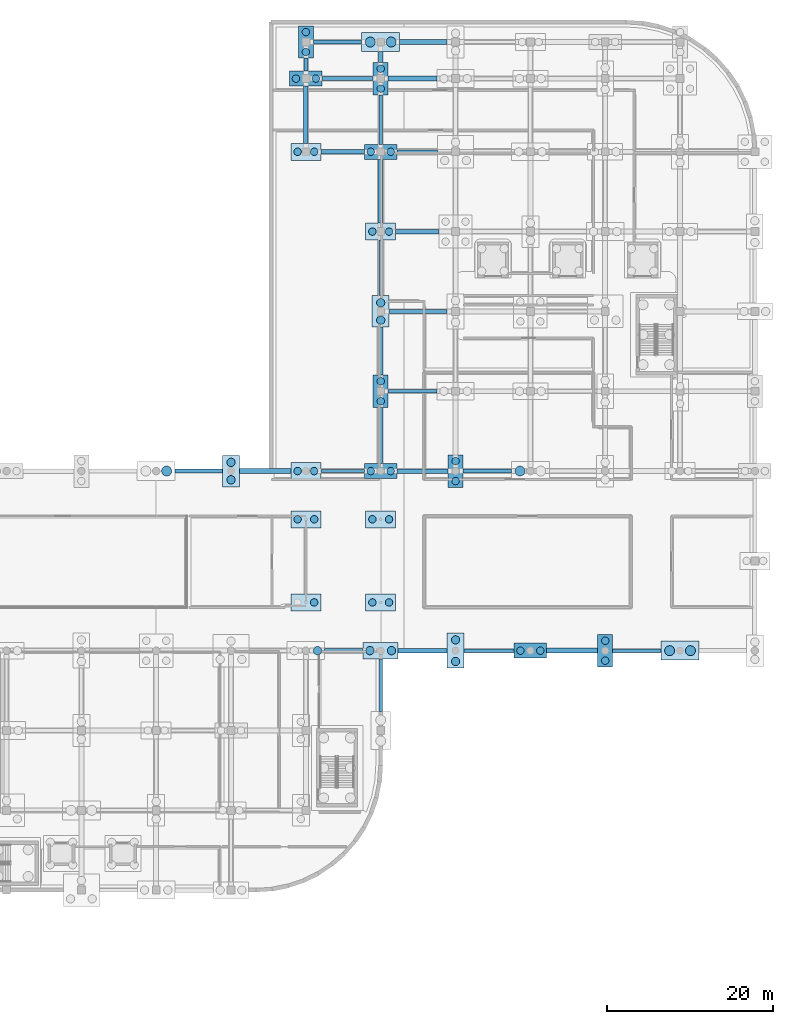
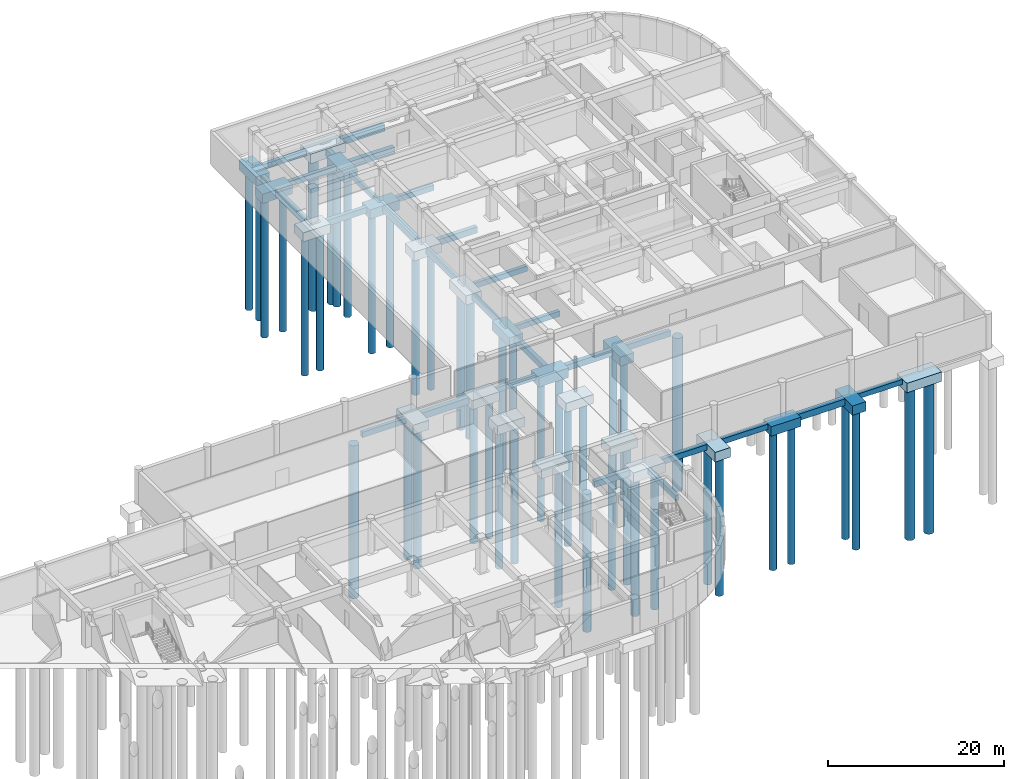
# One storey, part 5 of 47: 50 footings, 46 piles.
"""IFC4 building model written with IfcOpenShell, lengths in metres."""

from ifc_helpers import new_model, si_unit, direction, frame, origin, origin_2d, place, context, subcontext, project, spatial, rectangle, circle, extrude, material, material_profile, profile_set, type_object, element, save


model = new_model("IFC4")

# Units and contexts
model_context = context("Model", 3, precision=1e-05, world=origin(), true_north=direction((0.0, 1.0)))
body_context = subcontext(model_context, "Body", "Model", "MODEL_VIEW")
ifc_project = project(units=[si_unit("LENGTHUNIT", "METRE"), si_unit("AREAUNIT", "SQUARE_METRE"), si_unit("VOLUMEUNIT", "CUBIC_METRE"), si_unit("PLANEANGLEUNIT", "RADIAN"), si_unit("MASSUNIT", "GRAM", prefix="KILO")], contexts=[model_context])

# Site, building, storey
site_placement = place(None, origin())
site = spatial("IfcSite", under=ifc_project, at=site_placement, CompositionType="ELEMENT")
building_placement = place(site_placement, origin())
building = spatial("IfcBuilding", under=site, at=building_placement, Name="Cendralis Terraced Arcade", CompositionType="ELEMENT")
storey_placement = place(building_placement, frame((0.0, 0.0, -4.800048828125)))
storey = spatial("IfcBuildingStorey", under=building, at=storey_placement, Name="B1", CompositionType="ELEMENT", Elevation=-4.800048828125)

# Footings
ifc_material = material(Name="Concrete f'c 35 MPa", Category="concrete")
ifc_material_profile_1 = material_profile(ifc_material, rectangle(XDim=0.39990234375, YDim=0.699951171875, at=origin_2d()), Name="FB-400x700", Category="LoadBearing")
ifc_profile_set_1 = profile_set([ifc_material_profile_1], Name="Concrete f'c 35 MPa")
footing_type_1 = type_object("IfcFootingType", Name="FB-400x700", PredefinedType="FOOTING_BEAM", material=ifc_profile_set_1)
footing_1_placement = place(storey_placement, frame((149.10009765625, 38.39990234375, -0.800048828125), z_axis=(1.0, 0.0, 0.0), x_axis=(0.0, 1.0, 0.0)))
element("IfcFooting", 1, at=footing_1_placement, inside=storey, type_object=footing_type_1, Name="Reinforced Concrete Foundation Tie Beam FB-X-0054", PredefinedType="FOOTING_BEAM", context=body_context, shape_type="SweptSolid", body=[
    extrude(rectangle(XDim=0.39990234375, YDim=0.699951171875, at=origin_2d()), origin(), (0.0, 0.0, 1.0), 5.81982421875),
])
footing_2_placement = place(storey_placement, frame((114.0, 60.0, -0.800048828125), z_axis=(1.0, 0.0, 0.0), x_axis=(0.0, 1.0, 0.0)))
element("IfcFooting", 2, at=footing_2_placement, inside=storey, type_object=footing_type_1, Name="Reinforced Concrete Foundation Tie Beam FB-X-0074", PredefinedType="FOOTING_BEAM", context=body_context, shape_type="SweptSolid", body=[
    extrude(rectangle(XDim=0.39990234375, YDim=0.699951171875, at=origin_2d()), origin(), (0.0, 0.0, 1.0), 5.25),
])
footing_3_placement = place(storey_placement, frame((121.199951171875, 31.080078125, -0.800048828125), z_axis=(0.0, 1.0, 0.0), x_axis=(-1.0, 0.0, 0.0)))
element("IfcFooting", 3, at=footing_3_placement, inside=storey, type_object=footing_type_1, Name="Reinforced Concrete Foundation Tie Beam FB-Y-0239", PredefinedType="FOOTING_BEAM", context=body_context, shape_type="SweptSolid", body=[
    extrude(rectangle(XDim=0.39990234375, YDim=0.699951171875, at=origin_2d()), origin(), (0.0, 0.0, 1.0), 6.31982421875),
])
footing_4_placement = place(storey_placement, frame((121.199951171875, 99.300048828125, -0.800048828125), z_axis=(0.0, 1.0, 0.0), x_axis=(-1.0, 0.0, 0.0)))
element("IfcFooting", 4, at=footing_4_placement, inside=storey, type_object=footing_type_1, Name="Reinforced Concrete Foundation Tie Beam FB-Y-0244", PredefinedType="FOOTING_BEAM", context=body_context, shape_type="SweptSolid", body=[
    extrude(rectangle(XDim=0.39990234375, YDim=0.699951171875, at=origin_2d()), origin(), (0.0, 0.0, 1.0), 5.949951171875),
])
ifc_material_profile_2 = material_profile(ifc_material, rectangle(XDim=0.449951171875, YDim=0.75, at=origin_2d()), Name="FB-450x750", Category="LoadBearing")
ifc_profile_set_2 = profile_set([ifc_material_profile_2], Name="Concrete f'c 35 MPa")
footing_type_2 = type_object("IfcFootingType", Name="FB-450x750", PredefinedType="FOOTING_BEAM", material=ifc_profile_set_2)
footing_5_placement = place(storey_placement, frame((131.199951171875, 38.39990234375, -0.824951171875), z_axis=(1.0, 0.0, 0.0), x_axis=(0.0, 1.0, 0.0)))
element("IfcFooting", 5, at=footing_5_placement, inside=storey, type_object=footing_type_2, Name="Reinforced Concrete Foundation Tie Beam FB-X-0052", PredefinedType="FOOTING_BEAM", context=body_context, shape_type="SweptSolid", body=[
    extrude(rectangle(XDim=0.449951171875, YDim=0.75, at=origin_2d()), origin(), (0.0, 0.0, 1.0), 6.050048828125),
])
footing_6_placement = place(storey_placement, frame((96.47998046875, 60.0, -0.824951171875), z_axis=(1.0, 0.0, 0.0), x_axis=(0.0, 1.0, 0.0)))
element("IfcFooting", 6, at=footing_6_placement, inside=storey, type_object=footing_type_2, Name="Reinforced Concrete Foundation Tie Beam FB-X-0072", PredefinedType="FOOTING_BEAM", context=body_context, shape_type="SweptSolid", body=[
    extrude(rectangle(XDim=0.449951171875, YDim=0.75, at=origin_2d()), origin(), (0.0, 0.0, 1.0), 5.695068359375),
])
footing_7_placement = place(storey_placement, frame((122.10009765625, 69.60009765625, -0.824951171875), z_axis=(1.0, 0.0, 0.0), x_axis=(0.0, 1.0, 0.0)))
element("IfcFooting", 7, at=footing_7_placement, inside=storey, type_object=footing_type_2, Name="Reinforced Concrete Foundation Tie Beam FB-X-0087", PredefinedType="FOOTING_BEAM", context=body_context, shape_type="SweptSolid", body=[
    extrude(rectangle(XDim=0.449951171875, YDim=0.75, at=origin_2d()), origin(), (0.0, 0.0, 1.0), 5.849853515625),
])
footing_8_placement = place(storey_placement, frame((122.22509765625, 79.199951171875, -0.824951171875), z_axis=(1.0, 0.0, 0.0), x_axis=(0.0, 1.0, 0.0)))
element("IfcFooting", 8, at=footing_8_placement, inside=storey, type_object=footing_type_2, Name="Reinforced Concrete Foundation Tie Beam FB-X-0097", PredefinedType="FOOTING_BEAM", context=body_context, shape_type="SweptSolid", body=[
    extrude(rectangle(XDim=0.449951171875, YDim=0.75, at=origin_2d()), origin(), (0.0, 0.0, 1.0), 6.974853515625),
])
footing_9_placement = place(storey_placement, frame((123.14990234375, 98.39990234375, -0.824951171875), z_axis=(1.0, 0.0, 0.0), x_axis=(0.0, 1.0, 0.0)))
element("IfcFooting", 9, at=footing_9_placement, inside=storey, type_object=footing_type_2, Name="Reinforced Concrete Foundation Tie Beam FB-X-0117", PredefinedType="FOOTING_BEAM", context=body_context, shape_type="SweptSolid", body=[
    extrude(rectangle(XDim=0.449951171875, YDim=0.75, at=origin_2d()), origin(), (0.0, 0.0, 1.0), 4.900146484375),
])
footing_10_placement = place(storey_placement, frame((114.14990234375, 107.199951171875, -0.824951171875), z_axis=(1.0, 0.0, 0.0), x_axis=(0.0, 1.0, 0.0)))
element("IfcFooting", 10, at=footing_10_placement, inside=storey, type_object=footing_type_2, Name="Reinforced Concrete Foundation Tie Beam FB-X-0127", PredefinedType="FOOTING_BEAM", context=body_context, shape_type="SweptSolid", body=[
    extrude(rectangle(XDim=0.449951171875, YDim=0.75, at=origin_2d()), origin(), (0.0, 0.0, 1.0), 6.150146484375),
])
footing_11_placement = place(storey_placement, frame((113.10009765625, 111.60009765625, -0.824951171875), z_axis=(1.0, 0.0, 0.0), x_axis=(0.0, 1.0, 0.0)))
element("IfcFooting", 11, at=footing_11_placement, inside=storey, type_object=footing_type_2, Name="Reinforced Concrete Foundation Tie Beam FB-X-0137", PredefinedType="FOOTING_BEAM", context=body_context, shape_type="SweptSolid", body=[
    extrude(rectangle(XDim=0.449951171875, YDim=0.75, at=origin_2d()), origin(), (0.0, 0.0, 1.0), 5.81982421875),
])
footing_12_placement = place(storey_placement, frame((121.199951171875, 81.10009765625, -0.824951171875), z_axis=(0.0, 1.0, 0.0), x_axis=(-1.0, 0.0, 0.0)))
element("IfcFooting", 12, at=footing_12_placement, inside=storey, type_object=footing_type_2, Name="Reinforced Concrete Foundation Tie Beam FB-Y-0242", PredefinedType="FOOTING_BEAM", context=body_context, shape_type="SweptSolid", body=[
    extrude(rectangle(XDim=0.449951171875, YDim=0.75, at=origin_2d()), origin(), (0.0, 0.0, 1.0), 6.6748046875),
])
ifc_material_profile_3 = material_profile(ifc_material, rectangle(XDim=0.5, YDim=0.800048828125, at=origin_2d()), Name="FB-500x800", Category="LoadBearing")
ifc_profile_set_3 = profile_set([ifc_material_profile_3], Name="Concrete f'c 35 MPa")
footing_type_3 = type_object("IfcFootingType", Name="FB-500x800", PredefinedType="FOOTING_BEAM", material=ifc_profile_set_3)
footing_13_placement = place(storey_placement, frame((123.300048828125, 38.39990234375, -0.849853515625), z_axis=(1.0, 0.0, 0.0), x_axis=(0.0, 1.0, 0.0)))
element("IfcFooting", 13, at=footing_13_placement, inside=storey, type_object=footing_type_3, Name="Reinforced Concrete Foundation Tie Beam FB-X-0051", PredefinedType="FOOTING_BEAM", context=body_context, shape_type="SweptSolid", body=[
    extrude(rectangle(XDim=0.5, YDim=0.800048828125, at=origin_2d()), origin(), (0.0, 0.0, 1.0), 5.89990234375),
])
footing_14_placement = place(storey_placement, frame((131.10009765625, 60.0, -0.849853515625), z_axis=(1.0, 0.0, 0.0), x_axis=(0.0, 1.0, 0.0)))
element("IfcFooting", 14, at=footing_14_placement, inside=storey, type_object=footing_type_3, Name="Reinforced Concrete Foundation Tie Beam FB-X-0076", PredefinedType="FOOTING_BEAM", context=body_context, shape_type="SweptSolid", body=[
    extrude(rectangle(XDim=0.5, YDim=0.800048828125, at=origin_2d()), origin(), (0.0, 0.0, 1.0), 5.81982421875),
])
footing_15_placement = place(storey_placement, frame((114.0, 98.39990234375, -0.849853515625), z_axis=(1.0, 0.0, 0.0), x_axis=(0.0, 1.0, 0.0)))
element("IfcFooting", 15, at=footing_15_placement, inside=storey, type_object=footing_type_3, Name="Reinforced Concrete Foundation Tie Beam FB-X-0116", PredefinedType="FOOTING_BEAM", context=body_context, shape_type="SweptSolid", body=[
    extrude(rectangle(XDim=0.5, YDim=0.800048828125, at=origin_2d()), origin(), (0.0, 0.0, 1.0), 5.25),
])
footing_16_placement = place(storey_placement, frame((112.199951171875, 108.10009765625, -0.849853515625), z_axis=(0.0, 1.0, 0.0), x_axis=(-1.0, 0.0, 0.0)))
element("IfcFooting", 16, at=footing_16_placement, inside=storey, type_object=footing_type_3, Name="Reinforced Concrete Foundation Tie Beam FB-Y-0236", PredefinedType="FOOTING_BEAM", context=body_context, shape_type="SweptSolid", body=[
    extrude(rectangle(XDim=0.5, YDim=0.800048828125, at=origin_2d()), origin(), (0.0, 0.0, 1.0), 1.5498046875),
])
footing_17_placement = place(storey_placement, frame((121.199951171875, 71.550048828125, -0.849853515625), z_axis=(0.0, 1.0, 0.0), x_axis=(-1.0, 0.0, 0.0)))
element("IfcFooting", 17, at=footing_17_placement, inside=storey, type_object=footing_type_3, Name="Reinforced Concrete Foundation Tie Beam FB-Y-0241", PredefinedType="FOOTING_BEAM", context=body_context, shape_type="SweptSolid", body=[
    extrude(rectangle(XDim=0.5, YDim=0.800048828125, at=origin_2d()), origin(), (0.0, 0.0, 1.0), 5.75),
])
ifc_material_profile_4 = material_profile(ifc_material, rectangle(XDim=0.550048828125, YDim=0.85009765625, at=origin_2d()), Name="FB-550x850", Category="LoadBearing")
ifc_profile_set_4 = profile_set([ifc_material_profile_4], Name="Concrete f'c 35 MPa")
footing_type_4 = type_object("IfcFootingType", Name="FB-550x850", PredefinedType="FOOTING_BEAM", material=ifc_profile_set_4)
footing_18_placement = place(storey_placement, frame((114.449951171875, 38.39990234375, -0.875), z_axis=(1.0, 0.0, 0.0), x_axis=(0.0, 1.0, 0.0)))
element("IfcFooting", 18, at=footing_18_placement, inside=storey, type_object=footing_type_4, Name="Reinforced Concrete Foundation Tie Beam FB-X-0050", PredefinedType="FOOTING_BEAM", context=body_context, shape_type="SweptSolid", body=[
    extrude(rectangle(XDim=0.550048828125, YDim=0.85009765625, at=origin_2d()), origin(), (0.0, 0.0, 1.0), 4.650146484375),
])
footing_19_placement = place(storey_placement, frame((123.14990234375, 60.0, -0.875), z_axis=(1.0, 0.0, 0.0), x_axis=(0.0, 1.0, 0.0)))
element("IfcFooting", 19, at=footing_19_placement, inside=storey, type_object=footing_type_4, Name="Reinforced Concrete Foundation Tie Beam FB-X-0075", PredefinedType="FOOTING_BEAM", context=body_context, shape_type="SweptSolid", body=[
    extrude(rectangle(XDim=0.550048828125, YDim=0.85009765625, at=origin_2d()), origin(), (0.0, 0.0, 1.0), 6.150146484375),
])
footing_20_placement = place(storey_placement, frame((123.0, 88.800048828125, -0.875), z_axis=(1.0, 0.0, 0.0), x_axis=(0.0, 1.0, 0.0)))
element("IfcFooting", 20, at=footing_20_placement, inside=storey, type_object=footing_type_4, Name="Reinforced Concrete Foundation Tie Beam FB-X-0105", PredefinedType="FOOTING_BEAM", context=body_context, shape_type="SweptSolid", body=[
    extrude(rectangle(XDim=0.550048828125, YDim=0.85009765625, at=origin_2d()), origin(), (0.0, 0.0, 1.0), 5.199951171875),
])
footing_21_placement = place(storey_placement, frame((112.199951171875, 99.425048828125, -0.875), z_axis=(0.0, 1.0, 0.0), x_axis=(-1.0, 0.0, 0.0)))
element("IfcFooting", 21, at=footing_21_placement, inside=storey, type_object=footing_type_4, Name="Reinforced Concrete Foundation Tie Beam FB-Y-0235", PredefinedType="FOOTING_BEAM", context=body_context, shape_type="SweptSolid", body=[
    extrude(rectangle(XDim=0.550048828125, YDim=0.85009765625, at=origin_2d()), origin(), (0.0, 0.0, 1.0), 6.875),
])
footing_22_placement = place(storey_placement, frame((121.199951171875, 60.89990234375, -0.875), z_axis=(0.0, 1.0, 0.0), x_axis=(-1.0, 0.0, 0.0)))
element("IfcFooting", 22, at=footing_22_placement, inside=storey, type_object=footing_type_4, Name="Reinforced Concrete Foundation Tie Beam FB-Y-0240", PredefinedType="FOOTING_BEAM", context=body_context, shape_type="SweptSolid", body=[
    extrude(rectangle(XDim=0.550048828125, YDim=0.85009765625, at=origin_2d()), origin(), (0.0, 0.0, 1.0), 6.75),
])
footing_23_placement = place(storey_placement, frame((121.199951171875, 109.14990234375, -0.875), z_axis=(0.0, 1.0, 0.0), x_axis=(-1.0, 0.0, 0.0)))
element("IfcFooting", 23, at=footing_23_placement, inside=storey, type_object=footing_type_4, Name="Reinforced Concrete Foundation Tie Beam FB-Y-0245", PredefinedType="FOOTING_BEAM", context=body_context, shape_type="SweptSolid", body=[
    extrude(rectangle(XDim=0.550048828125, YDim=0.85009765625, at=origin_2d()), origin(), (0.0, 0.0, 1.0), 1.300048828125),
])
ifc_material_profile_5 = material_profile(ifc_material, rectangle(XDim=0.60009765625, YDim=0.89990234375, at=origin_2d()), Name="FB-600x900", Category="LoadBearing")
ifc_profile_set_5 = profile_set([ifc_material_profile_5], Name="Concrete f'c 35 MPa")
footing_type_5 = type_object("IfcFootingType", Name="FB-600x900", PredefinedType="FOOTING_BEAM", material=ifc_profile_set_5)
footing_24_placement = place(storey_placement, frame((141.14990234375, 38.39990234375, -0.89990234375), z_axis=(1.0, 0.0, 0.0), x_axis=(0.0, 1.0, 0.0)))
element("IfcFooting", 24, at=footing_24_placement, inside=storey, type_object=footing_type_5, Name="Reinforced Concrete Foundation Tie Beam FB-X-0053", PredefinedType="FOOTING_BEAM", context=body_context, shape_type="SweptSolid", body=[
    extrude(rectangle(XDim=0.60009765625, YDim=0.89990234375, at=origin_2d()), origin(), (0.0, 0.0, 1.0), 6.150146484375),
])
footing_25_placement = place(storey_placement, frame((104.22509765625, 60.0, -0.89990234375), z_axis=(1.0, 0.0, 0.0), x_axis=(0.0, 1.0, 0.0)))
element("IfcFooting", 25, at=footing_25_placement, inside=storey, type_object=footing_type_5, Name="Reinforced Concrete Foundation Tie Beam FB-X-0073", PredefinedType="FOOTING_BEAM", context=body_context, shape_type="SweptSolid", body=[
    extrude(rectangle(XDim=0.60009765625, YDim=0.89990234375, at=origin_2d()), origin(), (0.0, 0.0, 1.0), 6.1748046875),
])
footing_26_placement = place(storey_placement, frame((122.10009765625, 107.199951171875, -0.89990234375), z_axis=(1.0, 0.0, 0.0), x_axis=(0.0, 1.0, 0.0)))
element("IfcFooting", 26, at=footing_26_placement, inside=storey, type_object=footing_type_5, Name="Reinforced Concrete Foundation Tie Beam FB-X-0128", PredefinedType="FOOTING_BEAM", context=body_context, shape_type="SweptSolid", body=[
    extrude(rectangle(XDim=0.60009765625, YDim=0.89990234375, at=origin_2d()), origin(), (0.0, 0.0, 1.0), 5.849853515625),
])
footing_27_placement = place(storey_placement, frame((123.47998046875, 111.60009765625, -0.89990234375), z_axis=(1.0, 0.0, 0.0), x_axis=(0.0, 1.0, 0.0)))
element("IfcFooting", 27, at=footing_27_placement, inside=storey, type_object=footing_type_5, Name="Reinforced Concrete Foundation Tie Beam FB-X-0138", PredefinedType="FOOTING_BEAM", context=body_context, shape_type="SweptSolid", body=[
    extrude(rectangle(XDim=0.60009765625, YDim=0.89990234375, at=origin_2d()), origin(), (0.0, 0.0, 1.0), 5.695068359375),
])
footing_28_placement = place(storey_placement, frame((121.199951171875, 89.824951171875, -0.89990234375), z_axis=(0.0, 1.0, 0.0), x_axis=(-1.0, 0.0, 0.0)))
element("IfcFooting", 28, at=footing_28_placement, inside=storey, type_object=footing_type_5, Name="Reinforced Concrete Foundation Tie Beam FB-Y-0243", PredefinedType="FOOTING_BEAM", context=body_context, shape_type="SweptSolid", body=[
    extrude(rectangle(XDim=0.60009765625, YDim=0.89990234375, at=origin_2d()), origin(), (0.0, 0.0, 1.0), 7.675048828125),
])
footing_type_6 = type_object("IfcFootingType", Name="PC-2P-1800x3900x1300", PredefinedType="PILE_CAP", material=ifc_material)
for number, where, z_axis, x_axis, name in (
    (29, (112.199951171875, 111.60009765625, -1.75), (0.0, 0.0, 1.0), (1.0, 0.0, 0.0), "Reinforced Concrete Bored Pile Cap CAP-G13-N"),
    (30, (121.199951171875, 69.60009765625, -1.75), (0.0, 0.0, 1.0), (1.0, 0.0, 0.0), "Reinforced Concrete Bored Pile Cap CAP-G14-H"),
    (31, (121.199951171875, 107.199951171875, -1.75), (0.0, 0.0, 1.0), (1.0, 0.0, 0.0), "Reinforced Concrete Bored Pile Cap CAP-G14-M"),
    (32, (130.199951171875, 60.0, -1.75), (0.0, 0.0, 1.0), (1.0, 0.0, 0.0), "Reinforced Concrete Bored Pile Cap CAP-G15-G"),
    (33, (148.199951171875, 38.39990234375, -1.75), (0.0, 0.0, 1.0), (1.0, 0.0, 0.0), "Reinforced Concrete Bored Pile Cap CAP-G17-E"),
):
    element("IfcFooting", number, at=place(storey_placement, frame(where, z_axis=z_axis, x_axis=x_axis)), inside=storey, type_object=footing_type_6, Name=name, PredefinedType="PILE_CAP", context=body_context, shape_type="SweptSolid", body=[
        extrude(rectangle(XDim=1.800048828125, YDim=3.89990234375, at=origin_2d()), origin(), (0.0, 0.0, 1.0), 1.300048828125),
    ])
footing_type_7 = type_object("IfcFootingType", Name="PC-2P-2000x4200x1350", PredefinedType="PILE_CAP", material=ifc_material)
footing_29_placement = place(storey_placement, frame((130.199951171875, 38.39990234375, -1.800048828125), z_axis=(0.0, 0.0, 1.0), x_axis=(1.0, 0.0, 0.0)))
element("IfcFooting", 34, at=footing_29_placement, inside=storey, type_object=footing_type_7, Name="Reinforced Concrete Bored Pile Cap CAP-G15-E", PredefinedType="PILE_CAP", context=body_context, shape_type="SweptSolid", body=[
    extrude(rectangle(XDim=2.0, YDim=4.199951171875, at=origin_2d()), origin(), (0.0, 0.0, 1.0), 1.35009765625),
])
footing_type_8 = type_object("IfcFootingType", Name="PC-2P-2050x3800x1280", PredefinedType="PILE_CAP", material=ifc_material)
for number, where, z_axis, x_axis, name in (
    (35, (103.199951171875, 60.0, -1.72998046875), (0.0, 0.0, 1.0), (1.0, 0.0, 0.0), "Reinforced Concrete Bored Pile Cap CAP-G12-G"),
    (36, (121.199951171875, 79.199951171875, -1.72998046875), (0.0, 0.0, 1.0), (1.0, 0.0, 0.0), "Reinforced Concrete Bored Pile Cap CAP-G14-J"),
):
    element("IfcFooting", number, at=place(storey_placement, frame(where, z_axis=z_axis, x_axis=x_axis)), inside=storey, type_object=footing_type_8, Name=name, PredefinedType="PILE_CAP", context=body_context, shape_type="SweptSolid", body=[
        extrude(rectangle(XDim=2.050048828125, YDim=3.800048828125, at=origin_2d()), origin(), (0.0, 0.0, 1.0), 1.280029296875),
    ])
footing_type_9 = type_object("IfcFootingType", Name="PC-2P-3600x2050x1260", PredefinedType="PILE_CAP", material=ifc_material)
for number, where, z_axis, x_axis, name in (
    (37, (112.199951171875, 60.0, -1.7099609375), (0.0, 0.0, 1.0), (1.0, 0.0, 0.0), "Reinforced Concrete Bored Pile Cap CAP-G13-G"),
    (38, (112.199951171875, 98.39990234375, -1.7099609375), (0.0, 0.0, 1.0), (1.0, 0.0, 0.0), "Reinforced Concrete Bored Pile Cap CAP-G13-L"),
    (39, (121.199951171875, 88.800048828125, -1.7099609375), (0.0, 0.0, 1.0), (1.0, 0.0, 0.0), "Reinforced Concrete Bored Pile Cap CAP-G14-K"),
    (40, (112.199951171875, 44.199951171875, -1.7099609375), (0.0, 0.0, 1.0), (1.0, 0.0, 0.0), "Reinforced Concrete Bored Pile Cap CAP-BRG-112-44"),
    (41, (121.199951171875, 44.199951171875, -1.7099609375), (0.0, 0.0, 1.0), (1.0, 0.0, 0.0), "Reinforced Concrete Bored Pile Cap CAP-BRG-121-44"),
    (42, (112.199951171875, 54.199951171875, -1.7099609375), (0.0, 0.0, 1.0), (1.0, 0.0, 0.0), "Reinforced Concrete Bored Pile Cap CAP-BRG-112-54"),
    (43, (121.199951171875, 54.199951171875, -1.7099609375), (0.0, 0.0, 1.0), (1.0, 0.0, 0.0), "Reinforced Concrete Bored Pile Cap CAP-BRG-121-54"),
):
    element("IfcFooting", number, at=place(storey_placement, frame(where, z_axis=z_axis, x_axis=x_axis)), inside=storey, type_object=footing_type_9, Name=name, PredefinedType="PILE_CAP", context=body_context, shape_type="SweptSolid", body=[
        extrude(rectangle(XDim=3.60009765625, YDim=2.050048828125, at=origin_2d()), origin(), (0.0, 0.0, 1.0), 1.260009765625),
    ])
footing_type_10 = type_object("IfcFootingType", Name="PC-2P-3900x1800x1300", PredefinedType="PILE_CAP", material=ifc_material)
for number, where, z_axis, x_axis, name in (
    (44, (112.199951171875, 107.199951171875, -1.75), (0.0, 0.0, 1.0), (1.0, 0.0, 0.0), "Reinforced Concrete Bored Pile Cap CAP-G13-M"),
    (45, (121.199951171875, 60.0, -1.75), (0.0, 0.0, 1.0), (1.0, 0.0, 0.0), "Reinforced Concrete Bored Pile Cap CAP-G14-G"),
    (46, (121.199951171875, 98.39990234375, -1.75), (0.0, 0.0, 1.0), (1.0, 0.0, 0.0), "Reinforced Concrete Bored Pile Cap CAP-G14-L"),
    (47, (139.199951171875, 38.39990234375, -1.75), (0.0, 0.0, 1.0), (1.0, 0.0, 0.0), "Reinforced Concrete Bored Pile Cap CAP-G16-E"),
):
    element("IfcFooting", number, at=place(storey_placement, frame(where, z_axis=z_axis, x_axis=x_axis)), inside=storey, type_object=footing_type_10, Name=name, PredefinedType="PILE_CAP", context=body_context, shape_type="SweptSolid", body=[
        extrude(rectangle(XDim=3.89990234375, YDim=1.800048828125, at=origin_2d()), origin(), (0.0, 0.0, 1.0), 1.300048828125),
    ])
footing_type_11 = type_object("IfcFootingType", Name="PC-2P-4200x2000x1350", PredefinedType="PILE_CAP", material=ifc_material)
footing_30_placement = place(storey_placement, frame((121.199951171875, 38.39990234375, -1.800048828125), z_axis=(0.0, 0.0, 1.0), x_axis=(1.0, 0.0, 0.0)))
element("IfcFooting", 48, at=footing_30_placement, inside=storey, type_object=footing_type_11, Name="Reinforced Concrete Bored Pile Cap CAP-G14-E", PredefinedType="PILE_CAP", context=body_context, shape_type="SweptSolid", body=[
    extrude(rectangle(XDim=4.199951171875, YDim=2.0, at=origin_2d()), origin(), (0.0, 0.0, 1.0), 1.35009765625),
])
footing_type_12 = type_object("IfcFootingType", Name="PC-2P-4560x2300x1320", PredefinedType="PILE_CAP", material=ifc_material)
for number, where, z_axis, x_axis, name in (
    (49, (121.199951171875, 111.60009765625, -1.77001953125), (0.0, 0.0, 1.0), (1.0, 0.0, 0.0), "Reinforced Concrete Bored Pile Cap CAP-G14-N"),
    (50, (157.199951171875, 38.39990234375, -1.77001953125), (0.0, 0.0, 1.0), (1.0, 0.0, 0.0), "Reinforced Concrete Bored Pile Cap CAP-G18-E"),
):
    element("IfcFooting", number, at=place(storey_placement, frame(where, z_axis=z_axis, x_axis=x_axis)), inside=storey, type_object=footing_type_12, Name=name, PredefinedType="PILE_CAP", context=body_context, shape_type="SweptSolid", body=[
        extrude(rectangle(XDim=4.56005859375, YDim=2.300048828125, at=origin_2d()), origin(), (0.0, 0.0, 1.0), 1.320068359375),
    ])

# Piles
ifc_material_profile_6 = material_profile(ifc_material, circle(Radius=0.5, at=origin_2d()), Name="PILE-D1000", Category="LoadBearing")
ifc_profile_set_6 = profile_set([ifc_material_profile_6], Name="Concrete f'c 35 MPa")
pile_type_1 = type_object("IfcPileType", Name="PILE-1000", PredefinedType="BORED", material=ifc_profile_set_6)
for number, where, z_axis, x_axis, name in (
    (51, (103.199951171875, 58.949951171875, -1.6298828125), (0.0, 0.0, -1.0), (1.0, 0.0, 0.0), "Bored Concrete Pile PILE-C-CAP-G12-G-1-0_-105"),
    (52, (103.199951171875, 61.050048828125, -1.6298828125), (0.0, 0.0, -1.0), (1.0, 0.0, 0.0), "Bored Concrete Pile PILE-B-CAP-G12-G-1"),
):
    element("IfcPile", number, at=place(storey_placement, frame(where, z_axis=z_axis, x_axis=x_axis)), inside=storey, type_object=pile_type_1, Name=name, PredefinedType="BORED", context=body_context, shape_type="SweptSolid", body=[
        extrude(circle(Radius=0.5, at=origin_2d()), origin(), (0.0, 0.0, 1.0), 19.27001953125),
    ])
pile_placement = place(storey_placement, frame((113.60009765625, 38.39990234375, -1.72998046875), z_axis=(0.0, 0.0, -1.0), x_axis=(1.0, 0.0, 0.0)))
element("IfcPile", 53, at=pile_placement, inside=storey, type_object=pile_type_1, Name="Bored Concrete Pile PILE-C-CAP-G13-E-2-140_0", PredefinedType="BORED", context=body_context, shape_type="SweptSolid", body=[
    extrude(circle(Radius=0.5, at=origin_2d()), origin(), (0.0, 0.0, 1.0), 19.169921875),
])
for number, where, z_axis, x_axis, name in (
    (54, (119.89990234375, 38.39990234375, -1.699951171875), (0.0, 0.0, -1.0), (1.0, 0.0, 0.0), "Bored Concrete Pile PILE-C-CAP-G14-E-2--130_0"),
    (55, (122.5, 38.39990234375, -1.699951171875), (0.0, 0.0, -1.0), (1.0, 0.0, 0.0), "Bored Concrete Pile PILE-C-CAP-G14-E-2-130_0"),
):
    element("IfcPile", number, at=place(storey_placement, frame(where, z_axis=z_axis, x_axis=x_axis)), inside=storey, type_object=pile_type_1, Name=name, PredefinedType="BORED", context=body_context, shape_type="SweptSolid", body=[
        extrude(circle(Radius=0.5, at=origin_2d()), origin(), (0.0, 0.0, 1.0), 19.199951171875),
    ])
for number, where, z_axis, x_axis, name in (
    (56, (121.199951171875, 78.14990234375, -1.6298828125), (0.0, 0.0, -1.0), (1.0, 0.0, 0.0), "Bored Concrete Pile PILE-C-CAP-G14-J-1-0_-105"),
    (57, (121.199951171875, 80.25, -1.6298828125), (0.0, 0.0, -1.0), (1.0, 0.0, 0.0), "Bored Concrete Pile PILE-B-CAP-G14-J-1"),
):
    element("IfcPile", number, at=place(storey_placement, frame(where, z_axis=z_axis, x_axis=x_axis)), inside=storey, type_object=pile_type_1, Name=name, PredefinedType="BORED", context=body_context, shape_type="SweptSolid", body=[
        extrude(circle(Radius=0.5, at=origin_2d()), origin(), (0.0, 0.0, 1.0), 19.27001953125),
    ])
for number, where, z_axis, x_axis, name in (
    (58, (130.199951171875, 37.10009765625, -1.699951171875), (0.0, 0.0, -1.0), (1.0, 0.0, 0.0), "Bored Concrete Pile PILE-C-CAP-G15-E-2-0_-130"),
    (59, (130.199951171875, 39.699951171875, -1.699951171875), (0.0, 0.0, -1.0), (1.0, 0.0, 0.0), "Bored Concrete Pile PILE-C-CAP-G15-E-2-0_130"),
):
    element("IfcPile", number, at=place(storey_placement, frame(where, z_axis=z_axis, x_axis=x_axis)), inside=storey, type_object=pile_type_1, Name=name, PredefinedType="BORED", context=body_context, shape_type="SweptSolid", body=[
        extrude(circle(Radius=0.5, at=origin_2d()), origin(), (0.0, 0.0, 1.0), 19.199951171875),
    ])
ifc_material_profile_7 = material_profile(ifc_material, circle(Radius=0.60009765625, at=origin_2d()), Name="PILE-D1200", Category="LoadBearing")
ifc_profile_set_7 = profile_set([ifc_material_profile_7], Name="Concrete f'c 35 MPa")
pile_type_2 = type_object("IfcPileType", Name="PILE-1200", PredefinedType="BORED", material=ifc_profile_set_7)
for number, where, z_axis, x_axis, name in (
    (60, (95.449951171875, 60.0, -1.669921875), (0.0, 0.0, -1.0), (1.0, 0.0, 0.0), "Bored Concrete Pile PILE-B-CAP-G11-G-1"),
    (61, (119.949951171875, 111.60009765625, -1.669921875), (0.0, 0.0, -1.0), (1.0, 0.0, 0.0), "Bored Concrete Pile PILE-C-CAP-G14-N-1--125_0"),
    (62, (122.449951171875, 111.60009765625, -1.669921875), (0.0, 0.0, -1.0), (1.0, 0.0, 0.0), "Bored Concrete Pile PILE-B-CAP-G14-N-1"),
    (63, (137.949951171875, 60.0, -1.669921875), (0.0, 0.0, -1.0), (1.0, 0.0, 0.0), "Bored Concrete Pile PILE-C-CAP-G16-G-1--125_0"),
    (64, (155.949951171875, 38.39990234375, -1.669921875), (0.0, 0.0, -1.0), (1.0, 0.0, 0.0), "Bored Concrete Pile PILE-C-CAP-G18-E-1--125_0"),
    (65, (158.449951171875, 38.39990234375, -1.669921875), (0.0, 0.0, -1.0), (1.0, 0.0, 0.0), "Bored Concrete Pile PILE-B-CAP-G18-E-1"),
):
    element("IfcPile", number, at=place(storey_placement, frame(where, z_axis=z_axis, x_axis=x_axis)), inside=storey, type_object=pile_type_2, Name=name, PredefinedType="BORED", context=body_context, shape_type="SweptSolid", body=[
        extrude(circle(Radius=0.60009765625, at=origin_2d()), origin(), (0.0, 0.0, 1.0), 21.22998046875),
    ])
ifc_material_profile_8 = material_profile(ifc_material, circle(Radius=0.449951171875, at=origin_2d()), Name="PILE-D900", Category="LoadBearing")
ifc_profile_set_8 = profile_set([ifc_material_profile_8], Name="Concrete f'c 35 MPa")
pile_type_3 = type_object("IfcPileType", Name="PILE-900", PredefinedType="BORED", material=ifc_profile_set_8)
for number, where, z_axis, x_axis, name in (
    (66, (111.199951171875, 60.0, -1.60986328125), (0.0, 0.0, -1.0), (1.0, 0.0, 0.0), "Bored Concrete Pile PILE-C-CAP-G13-G-1--100_0"),
    (67, (113.199951171875, 60.0, -1.60986328125), (0.0, 0.0, -1.0), (1.0, 0.0, 0.0), "Bored Concrete Pile PILE-B-CAP-G13-G-1"),
    (68, (111.199951171875, 98.39990234375, -1.60986328125), (0.0, 0.0, -1.0), (1.0, 0.0, 0.0), "Bored Concrete Pile PILE-C-CAP-G13-L-1--100_0"),
    (69, (113.199951171875, 98.39990234375, -1.60986328125), (0.0, 0.0, -1.0), (1.0, 0.0, 0.0), "Bored Concrete Pile PILE-B-CAP-G13-L-1"),
):
    element("IfcPile", number, at=place(storey_placement, frame(where, z_axis=z_axis, x_axis=x_axis)), inside=storey, type_object=pile_type_3, Name=name, PredefinedType="BORED", context=body_context, shape_type="SweptSolid", body=[
        extrude(circle(Radius=0.449951171875, at=origin_2d()), origin(), (0.0, 0.0, 1.0), 19.2900390625),
    ])
for number, where, z_axis, x_axis, name in (
    (70, (111.0, 107.199951171875, -1.64990234375), (0.0, 0.0, -1.0), (1.0, 0.0, 0.0), "Bored Concrete Pile PILE-C-CAP-G13-M-2--120_0"),
    (71, (113.39990234375, 107.199951171875, -1.64990234375), (0.0, 0.0, -1.0), (1.0, 0.0, 0.0), "Bored Concrete Pile PILE-C-CAP-G13-M-2-120_0"),
    (72, (112.199951171875, 110.39990234375, -1.64990234375), (0.0, 0.0, -1.0), (1.0, 0.0, 0.0), "Bored Concrete Pile PILE-C-CAP-G13-N-2-0_-120"),
    (73, (112.199951171875, 112.800048828125, -1.64990234375), (0.0, 0.0, -1.0), (1.0, 0.0, 0.0), "Bored Concrete Pile PILE-C-CAP-G13-N-2-0_120"),
    (74, (120.0, 60.0, -1.64990234375), (0.0, 0.0, -1.0), (1.0, 0.0, 0.0), "Bored Concrete Pile PILE-C-CAP-G14-G-2--120_0"),
    (75, (122.39990234375, 60.0, -1.64990234375), (0.0, 0.0, -1.0), (1.0, 0.0, 0.0), "Bored Concrete Pile PILE-C-CAP-G14-G-2-120_0"),
    (76, (121.199951171875, 68.39990234375, -1.64990234375), (0.0, 0.0, -1.0), (1.0, 0.0, 0.0), "Bored Concrete Pile PILE-C-CAP-G14-H-2-0_-120"),
    (77, (121.199951171875, 70.800048828125, -1.64990234375), (0.0, 0.0, -1.0), (1.0, 0.0, 0.0), "Bored Concrete Pile PILE-C-CAP-G14-H-2-0_120"),
):
    element("IfcPile", number, at=place(storey_placement, frame(where, z_axis=z_axis, x_axis=x_axis)), inside=storey, type_object=pile_type_3, Name=name, PredefinedType="BORED", context=body_context, shape_type="SweptSolid", body=[
        extrude(circle(Radius=0.449951171875, at=origin_2d()), origin(), (0.0, 0.0, 1.0), 19.25),
    ])
for number, where, z_axis, x_axis, name in (
    (78, (120.199951171875, 88.800048828125, -1.60986328125), (0.0, 0.0, -1.0), (1.0, 0.0, 0.0), "Bored Concrete Pile PILE-C-CAP-G14-K-1--100_0"),
    (79, (122.199951171875, 88.800048828125, -1.60986328125), (0.0, 0.0, -1.0), (1.0, 0.0, 0.0), "Bored Concrete Pile PILE-B-CAP-G14-K-1"),
):
    element("IfcPile", number, at=place(storey_placement, frame(where, z_axis=z_axis, x_axis=x_axis)), inside=storey, type_object=pile_type_3, Name=name, PredefinedType="BORED", context=body_context, shape_type="SweptSolid", body=[
        extrude(circle(Radius=0.449951171875, at=origin_2d()), origin(), (0.0, 0.0, 1.0), 19.2900390625),
    ])
for number, where, z_axis, x_axis, name in (
    (80, (120.0, 98.39990234375, -1.64990234375), (0.0, 0.0, -1.0), (1.0, 0.0, 0.0), "Bored Concrete Pile PILE-C-CAP-G14-L-2--120_0"),
    (81, (122.39990234375, 98.39990234375, -1.64990234375), (0.0, 0.0, -1.0), (1.0, 0.0, 0.0), "Bored Concrete Pile PILE-C-CAP-G14-L-2-120_0"),
    (82, (121.199951171875, 106.0, -1.64990234375), (0.0, 0.0, -1.0), (1.0, 0.0, 0.0), "Bored Concrete Pile PILE-C-CAP-G14-M-2-0_-120"),
    (83, (121.199951171875, 108.39990234375, -1.64990234375), (0.0, 0.0, -1.0), (1.0, 0.0, 0.0), "Bored Concrete Pile PILE-C-CAP-G14-M-2-0_120"),
    (84, (130.199951171875, 58.800048828125, -1.64990234375), (0.0, 0.0, -1.0), (1.0, 0.0, 0.0), "Bored Concrete Pile PILE-C-CAP-G15-G-2-0_-120"),
    (85, (130.199951171875, 61.199951171875, -1.64990234375), (0.0, 0.0, -1.0), (1.0, 0.0, 0.0), "Bored Concrete Pile PILE-C-CAP-G15-G-2-0_120"),
    (86, (138.0, 38.39990234375, -1.64990234375), (0.0, 0.0, -1.0), (1.0, 0.0, 0.0), "Bored Concrete Pile PILE-C-CAP-G16-E-2--120_0"),
    (87, (140.39990234375, 38.39990234375, -1.64990234375), (0.0, 0.0, -1.0), (1.0, 0.0, 0.0), "Bored Concrete Pile PILE-C-CAP-G16-E-2-120_0"),
    (88, (148.199951171875, 37.199951171875, -1.64990234375), (0.0, 0.0, -1.0), (1.0, 0.0, 0.0), "Bored Concrete Pile PILE-C-CAP-G17-E-2-0_-120"),
    (89, (148.199951171875, 39.60009765625, -1.64990234375), (0.0, 0.0, -1.0), (1.0, 0.0, 0.0), "Bored Concrete Pile PILE-C-CAP-G17-E-2-0_120"),
):
    element("IfcPile", number, at=place(storey_placement, frame(where, z_axis=z_axis, x_axis=x_axis)), inside=storey, type_object=pile_type_3, Name=name, PredefinedType="BORED", context=body_context, shape_type="SweptSolid", body=[
        extrude(circle(Radius=0.449951171875, at=origin_2d()), origin(), (0.0, 0.0, 1.0), 19.25),
    ])
for number, where, z_axis, x_axis, name in (
    (90, (113.199951171875, 44.199951171875, -1.60986328125), (0.0, 0.0, -1.0), (1.0, 0.0, 0.0), "Bored Concrete Pile PILE-B-CAP-BRG-112-44-1"),
    (91, (120.199951171875, 44.199951171875, -1.60986328125), (0.0, 0.0, -1.0), (1.0, 0.0, 0.0), "Bored Concrete Pile PILE-C-CAP-BRG-121-44-1--100_0"),
    (92, (122.199951171875, 44.199951171875, -1.60986328125), (0.0, 0.0, -1.0), (1.0, 0.0, 0.0), "Bored Concrete Pile PILE-B-CAP-BRG-121-44-1"),
    (93, (111.199951171875, 54.199951171875, -1.60986328125), (0.0, 0.0, -1.0), (1.0, 0.0, 0.0), "Bored Concrete Pile PILE-C-CAP-BRG-112-54-1--100_0"),
    (94, (113.199951171875, 54.199951171875, -1.60986328125), (0.0, 0.0, -1.0), (1.0, 0.0, 0.0), "Bored Concrete Pile PILE-B-CAP-BRG-112-54-1"),
    (95, (120.199951171875, 54.199951171875, -1.60986328125), (0.0, 0.0, -1.0), (1.0, 0.0, 0.0), "Bored Concrete Pile PILE-C-CAP-BRG-121-54-1--100_0"),
    (96, (122.199951171875, 54.199951171875, -1.60986328125), (0.0, 0.0, -1.0), (1.0, 0.0, 0.0), "Bored Concrete Pile PILE-B-CAP-BRG-121-54-1"),
):
    element("IfcPile", number, at=place(storey_placement, frame(where, z_axis=z_axis, x_axis=x_axis)), inside=storey, type_object=pile_type_3, Name=name, PredefinedType="BORED", context=body_context, shape_type="SweptSolid", body=[
        extrude(circle(Radius=0.449951171875, at=origin_2d()), origin(), (0.0, 0.0, 1.0), 19.2900390625),
    ])

save(model, "model.ifc")
